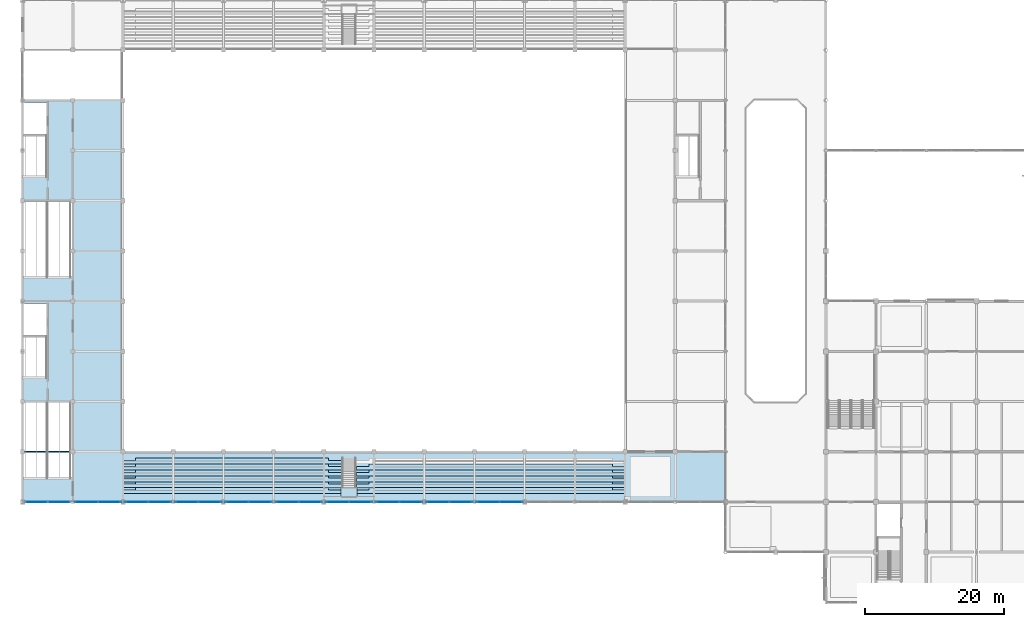
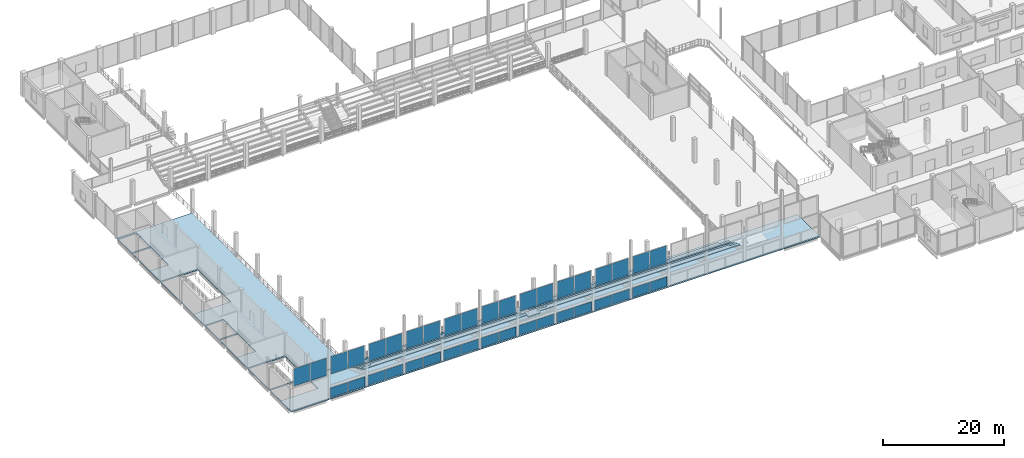
# One storey, part 81 of 120: 38 plates, 14 slabs, 19 elements without a shape of their own.
"""IFC4 building model written with IfcOpenShell, lengths in metres."""

from ifc_helpers import new_model, si_unit, direction, frame, origin, origin_2d, place, context, subcontext, project, spatial, polyline, rectangle, outline, extrude, material, layer, layer_set, type_object, element, aggregate, save


model = new_model("IFC4")

# Units and contexts
model_context = context("Model", 3, precision=1e-05, world=origin(), true_north=direction((0.0, 1.0)))
body_context = subcontext(model_context, "Body", "Model", "MODEL_VIEW")
ifc_project = project(units=[si_unit("LENGTHUNIT", "METRE"), si_unit("AREAUNIT", "SQUARE_METRE"), si_unit("VOLUMEUNIT", "CUBIC_METRE"), si_unit("PLANEANGLEUNIT", "RADIAN"), si_unit("MASSUNIT", "GRAM", prefix="KILO")], contexts=[model_context])

# Site, building, storey
site_placement = place(None, origin())
site = spatial("IfcSite", under=ifc_project, at=site_placement, CompositionType="ELEMENT")
building_placement = place(site_placement, origin())
building = spatial("IfcBuilding", under=site, at=building_placement, Name="Vesperath Aquatics Centre", CompositionType="ELEMENT")
storey_placement = place(building_placement, frame((0.0, 0.0, 10.199951171875)))
storey = spatial("IfcBuildingStorey", under=building, at=storey_placement, Name="L02", CompositionType="ELEMENT", Elevation=10.199951171875)

# Curtain wall, plates
ifc_material_1 = material(Name="Thermally broken anodised bronze aluminium curtain wall", Category="aluminium")
curtain_wall_type_1 = type_object("IfcCurtainWallType", Name="CW-06", PredefinedType="NOTDEFINED", material=ifc_material_1)
curtain_wall_1_placement = place(storey_placement, origin())
curtain_wall_1 = element("IfcCurtainWall", 1, at=curtain_wall_1_placement, inside=storey, type_object=curtain_wall_type_1, Name="Facade Curtain Wall CW06 L02_S_01_02", PredefinedType="NOTDEFINED")
ifc_material_2 = material(Name="Triple low-E argon insulated vision glass", Category="glass")
ifc_layer_1 = layer(ifc_material_2, 0.035888671875)
ifc_layer_set_1 = layer_set([ifc_layer_1], Name="Triple low-E argon insulated vision glass")
plate_type_1 = type_object("IfcPlateType", Name="PT-CWP05", PredefinedType="CURTAIN_PANEL", material=ifc_layer_set_1)
plate_1_placement = place(storey_placement, frame((9.119140625, 14.39990234375, 0.070068359375), z_axis=(0.0, 0.0, 1.0), x_axis=(1.0, 0.0, 0.0)))
plate_1 = element("IfcPlate", 2, at=plate_1_placement, type_object=plate_type_1, Name="CW06 panel 1.1", PredefinedType="CURTAIN_PANEL", context=body_context, shape_type="SweptSolid", body=[
    extrude(rectangle(XDim=3.29150390625, YDim=0.035888671875, at=origin_2d()), origin(), (0.0, 0.0, 1.0), 1.93994140625),
])
plate_2_placement = place(storey_placement, frame((12.480712890625, 14.39990234375, 0.070068359375), z_axis=(0.0, 0.0, 1.0), x_axis=(1.0, 0.0, 0.0)))
plate_2 = element("IfcPlate", 3, at=plate_2_placement, type_object=plate_type_1, Name="CW06 panel 2.1", PredefinedType="CURTAIN_PANEL", context=body_context, shape_type="SweptSolid", body=[
    extrude(rectangle(XDim=3.29150390625, YDim=0.035888671875, at=origin_2d()), origin(), (0.0, 0.0, 1.0), 1.93994140625),
])
aggregate(curtain_wall_1, [plate_1, plate_2])

curtain_wall_2_placement = place(storey_placement, origin())
curtain_wall_2 = element("IfcCurtainWall", 4, at=curtain_wall_2_placement, inside=storey, type_object=curtain_wall_type_1, Name="Facade Curtain Wall CW06 L02_S_02_02", PredefinedType="NOTDEFINED")
plate_3_placement = place(storey_placement, frame((16.3193359375, 14.39990234375, 0.070068359375), z_axis=(0.0, 0.0, 1.0), x_axis=(1.0, 0.0, 0.0)))
plate_3 = element("IfcPlate", 5, at=plate_3_placement, type_object=plate_type_1, Name="CW06 panel 1.1", PredefinedType="CURTAIN_PANEL", context=body_context, shape_type="SweptSolid", body=[
    extrude(rectangle(XDim=3.29150390625, YDim=0.035888671875, at=origin_2d()), origin(), (0.0, 0.0, 1.0), 1.93994140625),
])
plate_4_placement = place(storey_placement, frame((19.6806640625, 14.39990234375, 0.070068359375), z_axis=(0.0, 0.0, 1.0), x_axis=(1.0, 0.0, 0.0)))
plate_4 = element("IfcPlate", 6, at=plate_4_placement, type_object=plate_type_1, Name="CW06 panel 2.1", PredefinedType="CURTAIN_PANEL", context=body_context, shape_type="SweptSolid", body=[
    extrude(rectangle(XDim=3.29150390625, YDim=0.035888671875, at=origin_2d()), origin(), (0.0, 0.0, 1.0), 1.93994140625),
])
aggregate(curtain_wall_2, [plate_3, plate_4])

curtain_wall_3_placement = place(storey_placement, origin())
curtain_wall_3 = element("IfcCurtainWall", 7, at=curtain_wall_3_placement, inside=storey, type_object=curtain_wall_type_1, Name="Facade Curtain Wall CW06 L02_S_03_02", PredefinedType="NOTDEFINED")
plate_5_placement = place(storey_placement, frame((23.519287109375, 14.39990234375, 0.070068359375), z_axis=(0.0, 0.0, 1.0), x_axis=(1.0, 0.0, 0.0)))
plate_5 = element("IfcPlate", 8, at=plate_5_placement, type_object=plate_type_1, Name="CW06 panel 1.1", PredefinedType="CURTAIN_PANEL", context=body_context, shape_type="SweptSolid", body=[
    extrude(rectangle(XDim=3.29150390625, YDim=0.035888671875, at=origin_2d()), origin(), (0.0, 0.0, 1.0), 1.93994140625),
])
plate_6_placement = place(storey_placement, frame((26.880859375, 14.39990234375, 0.070068359375), z_axis=(0.0, 0.0, 1.0), x_axis=(1.0, 0.0, 0.0)))
plate_6 = element("IfcPlate", 9, at=plate_6_placement, type_object=plate_type_1, Name="CW06 panel 2.1", PredefinedType="CURTAIN_PANEL", context=body_context, shape_type="SweptSolid", body=[
    extrude(rectangle(XDim=3.29150390625, YDim=0.035888671875, at=origin_2d()), origin(), (0.0, 0.0, 1.0), 1.93994140625),
])
aggregate(curtain_wall_3, [plate_5, plate_6])

curtain_wall_4_placement = place(storey_placement, origin())
curtain_wall_4 = element("IfcCurtainWall", 10, at=curtain_wall_4_placement, inside=storey, type_object=curtain_wall_type_1, Name="Facade Curtain Wall CW06 L02_S_04_02", PredefinedType="NOTDEFINED")
plate_7_placement = place(storey_placement, frame((30.71923828125, 14.39990234375, 0.070068359375), z_axis=(0.0, 0.0, 1.0), x_axis=(1.0, 0.0, 0.0)))
plate_7 = element("IfcPlate", 11, at=plate_7_placement, type_object=plate_type_1, Name="CW06 panel 1.1", PredefinedType="CURTAIN_PANEL", context=body_context, shape_type="SweptSolid", body=[
    extrude(rectangle(XDim=3.29150390625, YDim=0.035888671875, at=origin_2d()), origin(), (0.0, 0.0, 1.0), 1.93994140625),
])
plate_8_placement = place(storey_placement, frame((34.080810546875, 14.39990234375, 0.070068359375), z_axis=(0.0, 0.0, 1.0), x_axis=(1.0, 0.0, 0.0)))
plate_8 = element("IfcPlate", 12, at=plate_8_placement, type_object=plate_type_1, Name="CW06 panel 2.1", PredefinedType="CURTAIN_PANEL", context=body_context, shape_type="SweptSolid", body=[
    extrude(rectangle(XDim=3.29150390625, YDim=0.035888671875, at=origin_2d()), origin(), (0.0, 0.0, 1.0), 1.93994140625),
])
aggregate(curtain_wall_4, [plate_7, plate_8])

curtain_wall_5_placement = place(storey_placement, origin())
curtain_wall_5 = element("IfcCurtainWall", 13, at=curtain_wall_5_placement, inside=storey, type_object=curtain_wall_type_1, Name="Facade Curtain Wall CW06 L02_S_05_02", PredefinedType="NOTDEFINED")
plate_9_placement = place(storey_placement, frame((37.919189453125, 14.39990234375, 0.070068359375), z_axis=(0.0, 0.0, 1.0), x_axis=(1.0, 0.0, 0.0)))
plate_9 = element("IfcPlate", 14, at=plate_9_placement, type_object=plate_type_1, Name="CW06 panel 1.1", PredefinedType="CURTAIN_PANEL", context=body_context, shape_type="SweptSolid", body=[
    extrude(rectangle(XDim=3.29150390625, YDim=0.035888671875, at=origin_2d()), origin(), (0.0, 0.0, 1.0), 1.93994140625),
])
plate_10_placement = place(storey_placement, frame((41.28076171875, 14.39990234375, 0.070068359375), z_axis=(0.0, 0.0, 1.0), x_axis=(1.0, 0.0, 0.0)))
plate_10 = element("IfcPlate", 15, at=plate_10_placement, type_object=plate_type_1, Name="CW06 panel 2.1", PredefinedType="CURTAIN_PANEL", context=body_context, shape_type="SweptSolid", body=[
    extrude(rectangle(XDim=3.29150390625, YDim=0.035888671875, at=origin_2d()), origin(), (0.0, 0.0, 1.0), 1.93994140625),
])
aggregate(curtain_wall_5, [plate_9, plate_10])

curtain_wall_6_placement = place(storey_placement, origin())
curtain_wall_6 = element("IfcCurtainWall", 16, at=curtain_wall_6_placement, inside=storey, type_object=curtain_wall_type_1, Name="Facade Curtain Wall CW06 L02_S_06_02", PredefinedType="NOTDEFINED")
plate_11_placement = place(storey_placement, frame((45.119140625, 14.39990234375, 0.070068359375), z_axis=(0.0, 0.0, 1.0), x_axis=(1.0, 0.0, 0.0)))
plate_11 = element("IfcPlate", 17, at=plate_11_placement, type_object=plate_type_1, Name="CW06 panel 1.1", PredefinedType="CURTAIN_PANEL", context=body_context, shape_type="SweptSolid", body=[
    extrude(rectangle(XDim=3.29150390625, YDim=0.035888671875, at=origin_2d()), origin(), (0.0, 0.0, 1.0), 1.93994140625),
])
plate_12_placement = place(storey_placement, frame((48.480712890625, 14.39990234375, 0.070068359375), z_axis=(0.0, 0.0, 1.0), x_axis=(1.0, 0.0, 0.0)))
plate_12 = element("IfcPlate", 18, at=plate_12_placement, type_object=plate_type_1, Name="CW06 panel 2.1", PredefinedType="CURTAIN_PANEL", context=body_context, shape_type="SweptSolid", body=[
    extrude(rectangle(XDim=3.29150390625, YDim=0.035888671875, at=origin_2d()), origin(), (0.0, 0.0, 1.0), 1.93994140625),
])
aggregate(curtain_wall_6, [plate_11, plate_12])

curtain_wall_7_placement = place(storey_placement, origin())
curtain_wall_7 = element("IfcCurtainWall", 19, at=curtain_wall_7_placement, inside=storey, type_object=curtain_wall_type_1, Name="Facade Curtain Wall CW06 L02_S_07_02", PredefinedType="NOTDEFINED")
plate_13_placement = place(storey_placement, frame((52.3193359375, 14.39990234375, 0.070068359375), z_axis=(0.0, 0.0, 1.0), x_axis=(1.0, 0.0, 0.0)))
plate_13 = element("IfcPlate", 20, at=plate_13_placement, type_object=plate_type_1, Name="CW06 panel 1.1", PredefinedType="CURTAIN_PANEL", context=body_context, shape_type="SweptSolid", body=[
    extrude(rectangle(XDim=3.29150390625, YDim=0.035888671875, at=origin_2d()), origin(), (0.0, 0.0, 1.0), 1.93994140625),
])
plate_14_placement = place(storey_placement, frame((55.6806640625, 14.39990234375, 0.070068359375), z_axis=(0.0, 0.0, 1.0), x_axis=(1.0, 0.0, 0.0)))
plate_14 = element("IfcPlate", 21, at=plate_14_placement, type_object=plate_type_1, Name="CW06 panel 2.1", PredefinedType="CURTAIN_PANEL", context=body_context, shape_type="SweptSolid", body=[
    extrude(rectangle(XDim=3.29150390625, YDim=0.035888671875, at=origin_2d()), origin(), (0.0, 0.0, 1.0), 1.93994140625),
])
aggregate(curtain_wall_7, [plate_13, plate_14])

curtain_wall_8_placement = place(storey_placement, origin())
curtain_wall_8 = element("IfcCurtainWall", 22, at=curtain_wall_8_placement, inside=storey, type_object=curtain_wall_type_1, Name="Facade Curtain Wall CW06 L02_S_08_02", PredefinedType="NOTDEFINED")
plate_15_placement = place(storey_placement, frame((59.519287109375, 14.39990234375, 0.070068359375), z_axis=(0.0, 0.0, 1.0), x_axis=(1.0, 0.0, 0.0)))
plate_15 = element("IfcPlate", 23, at=plate_15_placement, type_object=plate_type_1, Name="CW06 panel 1.1", PredefinedType="CURTAIN_PANEL", context=body_context, shape_type="SweptSolid", body=[
    extrude(rectangle(XDim=3.29150390625, YDim=0.035888671875, at=origin_2d()), origin(), (0.0, 0.0, 1.0), 1.93994140625),
])
plate_16_placement = place(storey_placement, frame((62.880859375, 14.39990234375, 0.070068359375), z_axis=(0.0, 0.0, 1.0), x_axis=(1.0, 0.0, 0.0)))
plate_16 = element("IfcPlate", 24, at=plate_16_placement, type_object=plate_type_1, Name="CW06 panel 2.1", PredefinedType="CURTAIN_PANEL", context=body_context, shape_type="SweptSolid", body=[
    extrude(rectangle(XDim=3.29150390625, YDim=0.035888671875, at=origin_2d()), origin(), (0.0, 0.0, 1.0), 1.93994140625),
])
aggregate(curtain_wall_8, [plate_15, plate_16])

curtain_wall_9_placement = place(storey_placement, origin())
curtain_wall_9 = element("IfcCurtainWall", 25, at=curtain_wall_9_placement, inside=storey, type_object=curtain_wall_type_1, Name="Facade Curtain Wall CW06 L02_S_09_02", PredefinedType="NOTDEFINED")
plate_17_placement = place(storey_placement, frame((66.71923828125, 14.39990234375, 0.070068359375), z_axis=(0.0, 0.0, 1.0), x_axis=(1.0, 0.0, 0.0)))
plate_17 = element("IfcPlate", 26, at=plate_17_placement, type_object=plate_type_1, Name="CW06 panel 1.1", PredefinedType="CURTAIN_PANEL", context=body_context, shape_type="SweptSolid", body=[
    extrude(rectangle(XDim=3.29150390625, YDim=0.035888671875, at=origin_2d()), origin(), (0.0, 0.0, 1.0), 1.93994140625),
])
plate_18_placement = place(storey_placement, frame((70.080810546875, 14.39990234375, 0.070068359375), z_axis=(0.0, 0.0, 1.0), x_axis=(1.0, 0.0, 0.0)))
plate_18 = element("IfcPlate", 27, at=plate_18_placement, type_object=plate_type_1, Name="CW06 panel 2.1", PredefinedType="CURTAIN_PANEL", context=body_context, shape_type="SweptSolid", body=[
    extrude(rectangle(XDim=3.29150390625, YDim=0.035888671875, at=origin_2d()), origin(), (0.0, 0.0, 1.0), 1.93994140625),
])
aggregate(curtain_wall_9, [plate_17, plate_18])

curtain_wall_type_2 = type_object("IfcCurtainWallType", Name="CW-08", PredefinedType="NOTDEFINED", material=ifc_material_1)
curtain_wall_10_placement = place(storey_placement, origin())
curtain_wall_10 = element("IfcCurtainWall", 28, at=curtain_wall_10_placement, inside=storey, type_object=curtain_wall_type_2, Name="Natatorium Gable West Curtain Wall CW08 S-1W", PredefinedType="NOTDEFINED")
ifc_layer_2 = layer(ifc_material_2, 0.035888671875)
ifc_layer_set_2 = layer_set([ifc_layer_2], Name="Triple low-E argon insulated vision glass")
plate_type_2 = type_object("IfcPlateType", Name="PT-CWP07", PredefinedType="CURTAIN_PANEL", material=ifc_layer_set_2)
plate_19_placement = place(storey_placement, frame((1.99365234375, 14.39990234375, 4.824951171875), z_axis=(0.0, 0.0, 1.0), x_axis=(1.0, 0.0, 0.0)))
plate_19 = element("IfcPlate", 29, at=plate_19_placement, type_object=plate_type_2, Name="CW08 panel 1.1", PredefinedType="CURTAIN_PANEL", context=body_context, shape_type="SweptSolid", body=[
    extrude(rectangle(XDim=3.137451171875, YDim=0.035888671875, at=origin_2d()), origin(), (0.0, 0.0, 1.0), 3.5),
])
plate_20_placement = place(storey_placement, frame((5.206298828125, 14.39990234375, 4.824951171875), z_axis=(0.0, 0.0, 1.0), x_axis=(1.0, 0.0, 0.0)))
plate_20 = element("IfcPlate", 30, at=plate_20_placement, type_object=plate_type_2, Name="CW08 panel 2.1", PredefinedType="CURTAIN_PANEL", context=body_context, shape_type="SweptSolid", body=[
    extrude(rectangle(XDim=3.137451171875, YDim=0.035888671875, at=origin_2d()), origin(), (0.0, 0.0, 1.0), 3.5),
])
aggregate(curtain_wall_10, [plate_19, plate_20])

curtain_wall_11_placement = place(storey_placement, origin())
curtain_wall_11 = element("IfcCurtainWall", 31, at=curtain_wall_11_placement, inside=storey, type_object=curtain_wall_type_2, Name="Natatorium Gable East Curtain Wall CW08 S-1E", PredefinedType="NOTDEFINED")
plate_21_placement = place(storey_placement, frame((9.19384765625, 14.39990234375, 4.824951171875), z_axis=(0.0, 0.0, 1.0), x_axis=(1.0, 0.0, 0.0)))
plate_21 = element("IfcPlate", 32, at=plate_21_placement, type_object=plate_type_2, Name="CW08 panel 1.1", PredefinedType="CURTAIN_PANEL", context=body_context, shape_type="SweptSolid", body=[
    extrude(rectangle(XDim=3.137451171875, YDim=0.035888671875, at=origin_2d()), origin(), (0.0, 0.0, 1.0), 3.5),
])
plate_22_placement = place(storey_placement, frame((12.40625, 14.39990234375, 4.824951171875), z_axis=(0.0, 0.0, 1.0), x_axis=(1.0, 0.0, 0.0)))
plate_22 = element("IfcPlate", 33, at=plate_22_placement, type_object=plate_type_2, Name="CW08 panel 2.1", PredefinedType="CURTAIN_PANEL", context=body_context, shape_type="SweptSolid", body=[
    extrude(rectangle(XDim=3.137451171875, YDim=0.035888671875, at=origin_2d()), origin(), (0.0, 0.0, 1.0), 3.5),
])
aggregate(curtain_wall_11, [plate_21, plate_22])

curtain_wall_12_placement = place(storey_placement, origin())
curtain_wall_12 = element("IfcCurtainWall", 34, at=curtain_wall_12_placement, inside=storey, type_object=curtain_wall_type_2, Name="Natatorium Gable West Curtain Wall CW08 S-2W", PredefinedType="NOTDEFINED")
plate_23_placement = place(storey_placement, frame((16.393798828125, 14.39990234375, 4.824951171875), z_axis=(0.0, 0.0, 1.0), x_axis=(1.0, 0.0, 0.0)))
plate_23 = element("IfcPlate", 35, at=plate_23_placement, type_object=plate_type_2, Name="CW08 panel 1.1", PredefinedType="CURTAIN_PANEL", context=body_context, shape_type="SweptSolid", body=[
    extrude(rectangle(XDim=3.137451171875, YDim=0.035888671875, at=origin_2d()), origin(), (0.0, 0.0, 1.0), 3.5),
])
plate_24_placement = place(storey_placement, frame((19.606201171875, 14.39990234375, 4.824951171875), z_axis=(0.0, 0.0, 1.0), x_axis=(1.0, 0.0, 0.0)))
plate_24 = element("IfcPlate", 36, at=plate_24_placement, type_object=plate_type_2, Name="CW08 panel 2.1", PredefinedType="CURTAIN_PANEL", context=body_context, shape_type="SweptSolid", body=[
    extrude(rectangle(XDim=3.137451171875, YDim=0.035888671875, at=origin_2d()), origin(), (0.0, 0.0, 1.0), 3.5),
])
aggregate(curtain_wall_12, [plate_23, plate_24])

curtain_wall_13_placement = place(storey_placement, origin())
curtain_wall_13 = element("IfcCurtainWall", 37, at=curtain_wall_13_placement, inside=storey, type_object=curtain_wall_type_2, Name="Natatorium Gable East Curtain Wall CW08 S-2E", PredefinedType="NOTDEFINED")
plate_25_placement = place(storey_placement, frame((23.59375, 14.39990234375, 4.824951171875), z_axis=(0.0, 0.0, 1.0), x_axis=(1.0, 0.0, 0.0)))
plate_25 = element("IfcPlate", 38, at=plate_25_placement, type_object=plate_type_2, Name="CW08 panel 1.1", PredefinedType="CURTAIN_PANEL", context=body_context, shape_type="SweptSolid", body=[
    extrude(rectangle(XDim=3.137451171875, YDim=0.035888671875, at=origin_2d()), origin(), (0.0, 0.0, 1.0), 3.5),
])
plate_26_placement = place(storey_placement, frame((26.80615234375, 14.39990234375, 4.824951171875), z_axis=(0.0, 0.0, 1.0), x_axis=(1.0, 0.0, 0.0)))
plate_26 = element("IfcPlate", 39, at=plate_26_placement, type_object=plate_type_2, Name="CW08 panel 2.1", PredefinedType="CURTAIN_PANEL", context=body_context, shape_type="SweptSolid", body=[
    extrude(rectangle(XDim=3.137451171875, YDim=0.035888671875, at=origin_2d()), origin(), (0.0, 0.0, 1.0), 3.5),
])
aggregate(curtain_wall_13, [plate_25, plate_26])

curtain_wall_14_placement = place(storey_placement, origin())
curtain_wall_14 = element("IfcCurtainWall", 40, at=curtain_wall_14_placement, inside=storey, type_object=curtain_wall_type_2, Name="Natatorium Gable West Curtain Wall CW08 S-3W", PredefinedType="NOTDEFINED")
plate_27_placement = place(storey_placement, frame((30.793701171875, 14.39990234375, 4.824951171875), z_axis=(0.0, 0.0, 1.0), x_axis=(1.0, 0.0, 0.0)))
plate_27 = element("IfcPlate", 41, at=plate_27_placement, type_object=plate_type_2, Name="CW08 panel 1.1", PredefinedType="CURTAIN_PANEL", context=body_context, shape_type="SweptSolid", body=[
    extrude(rectangle(XDim=3.137451171875, YDim=0.035888671875, at=origin_2d()), origin(), (0.0, 0.0, 1.0), 3.5),
])
plate_28_placement = place(storey_placement, frame((34.00634765625, 14.39990234375, 4.824951171875), z_axis=(0.0, 0.0, 1.0), x_axis=(1.0, 0.0, 0.0)))
plate_28 = element("IfcPlate", 42, at=plate_28_placement, type_object=plate_type_2, Name="CW08 panel 2.1", PredefinedType="CURTAIN_PANEL", context=body_context, shape_type="SweptSolid", body=[
    extrude(rectangle(XDim=3.137451171875, YDim=0.035888671875, at=origin_2d()), origin(), (0.0, 0.0, 1.0), 3.5),
])
aggregate(curtain_wall_14, [plate_27, plate_28])

curtain_wall_15_placement = place(storey_placement, origin())
curtain_wall_15 = element("IfcCurtainWall", 43, at=curtain_wall_15_placement, inside=storey, type_object=curtain_wall_type_2, Name="Natatorium Gable East Curtain Wall CW08 S-3E", PredefinedType="NOTDEFINED")
plate_29_placement = place(storey_placement, frame((37.99365234375, 14.39990234375, 4.824951171875), z_axis=(0.0, 0.0, 1.0), x_axis=(1.0, 0.0, 0.0)))
plate_29 = element("IfcPlate", 44, at=plate_29_placement, type_object=plate_type_2, Name="CW08 panel 1.1", PredefinedType="CURTAIN_PANEL", context=body_context, shape_type="SweptSolid", body=[
    extrude(rectangle(XDim=3.137451171875, YDim=0.035888671875, at=origin_2d()), origin(), (0.0, 0.0, 1.0), 3.5),
])
plate_30_placement = place(storey_placement, frame((41.206298828125, 14.39990234375, 4.824951171875), z_axis=(0.0, 0.0, 1.0), x_axis=(1.0, 0.0, 0.0)))
plate_30 = element("IfcPlate", 45, at=plate_30_placement, type_object=plate_type_2, Name="CW08 panel 2.1", PredefinedType="CURTAIN_PANEL", context=body_context, shape_type="SweptSolid", body=[
    extrude(rectangle(XDim=3.137451171875, YDim=0.035888671875, at=origin_2d()), origin(), (0.0, 0.0, 1.0), 3.5),
])
aggregate(curtain_wall_15, [plate_29, plate_30])

curtain_wall_16_placement = place(storey_placement, origin())
curtain_wall_16 = element("IfcCurtainWall", 46, at=curtain_wall_16_placement, inside=storey, type_object=curtain_wall_type_2, Name="Natatorium Gable West Curtain Wall CW08 S-4W", PredefinedType="NOTDEFINED")
plate_31_placement = place(storey_placement, frame((45.19384765625, 14.39990234375, 4.824951171875), z_axis=(0.0, 0.0, 1.0), x_axis=(1.0, 0.0, 0.0)))
plate_31 = element("IfcPlate", 47, at=plate_31_placement, type_object=plate_type_2, Name="CW08 panel 1.1", PredefinedType="CURTAIN_PANEL", context=body_context, shape_type="SweptSolid", body=[
    extrude(rectangle(XDim=3.137451171875, YDim=0.035888671875, at=origin_2d()), origin(), (0.0, 0.0, 1.0), 3.5),
])
plate_32_placement = place(storey_placement, frame((48.40625, 14.39990234375, 4.824951171875), z_axis=(0.0, 0.0, 1.0), x_axis=(1.0, 0.0, 0.0)))
plate_32 = element("IfcPlate", 48, at=plate_32_placement, type_object=plate_type_2, Name="CW08 panel 2.1", PredefinedType="CURTAIN_PANEL", context=body_context, shape_type="SweptSolid", body=[
    extrude(rectangle(XDim=3.137451171875, YDim=0.035888671875, at=origin_2d()), origin(), (0.0, 0.0, 1.0), 3.5),
])
aggregate(curtain_wall_16, [plate_31, plate_32])

curtain_wall_17_placement = place(storey_placement, origin())
curtain_wall_17 = element("IfcCurtainWall", 49, at=curtain_wall_17_placement, inside=storey, type_object=curtain_wall_type_2, Name="Natatorium Gable East Curtain Wall CW08 S-4E", PredefinedType="NOTDEFINED")
plate_33_placement = place(storey_placement, frame((52.393798828125, 14.39990234375, 4.824951171875), z_axis=(0.0, 0.0, 1.0), x_axis=(1.0, 0.0, 0.0)))
plate_33 = element("IfcPlate", 50, at=plate_33_placement, type_object=plate_type_2, Name="CW08 panel 1.1", PredefinedType="CURTAIN_PANEL", context=body_context, shape_type="SweptSolid", body=[
    extrude(rectangle(XDim=3.137451171875, YDim=0.035888671875, at=origin_2d()), origin(), (0.0, 0.0, 1.0), 3.5),
])
plate_34_placement = place(storey_placement, frame((55.606201171875, 14.39990234375, 4.824951171875), z_axis=(0.0, 0.0, 1.0), x_axis=(1.0, 0.0, 0.0)))
plate_34 = element("IfcPlate", 51, at=plate_34_placement, type_object=plate_type_2, Name="CW08 panel 2.1", PredefinedType="CURTAIN_PANEL", context=body_context, shape_type="SweptSolid", body=[
    extrude(rectangle(XDim=3.137451171875, YDim=0.035888671875, at=origin_2d()), origin(), (0.0, 0.0, 1.0), 3.5),
])
aggregate(curtain_wall_17, [plate_33, plate_34])

curtain_wall_18_placement = place(storey_placement, origin())
curtain_wall_18 = element("IfcCurtainWall", 52, at=curtain_wall_18_placement, inside=storey, type_object=curtain_wall_type_2, Name="Natatorium Gable West Curtain Wall CW08 S-5W", PredefinedType="NOTDEFINED")
plate_35_placement = place(storey_placement, frame((59.59375, 14.39990234375, 4.824951171875), z_axis=(0.0, 0.0, 1.0), x_axis=(1.0, 0.0, 0.0)))
plate_35 = element("IfcPlate", 53, at=plate_35_placement, type_object=plate_type_2, Name="CW08 panel 1.1", PredefinedType="CURTAIN_PANEL", context=body_context, shape_type="SweptSolid", body=[
    extrude(rectangle(XDim=3.137451171875, YDim=0.035888671875, at=origin_2d()), origin(), (0.0, 0.0, 1.0), 3.5),
])
plate_36_placement = place(storey_placement, frame((62.80615234375, 14.39990234375, 4.824951171875), z_axis=(0.0, 0.0, 1.0), x_axis=(1.0, 0.0, 0.0)))
plate_36 = element("IfcPlate", 54, at=plate_36_placement, type_object=plate_type_2, Name="CW08 panel 2.1", PredefinedType="CURTAIN_PANEL", context=body_context, shape_type="SweptSolid", body=[
    extrude(rectangle(XDim=3.137451171875, YDim=0.035888671875, at=origin_2d()), origin(), (0.0, 0.0, 1.0), 3.5),
])
aggregate(curtain_wall_18, [plate_35, plate_36])

curtain_wall_19_placement = place(storey_placement, origin())
curtain_wall_19 = element("IfcCurtainWall", 55, at=curtain_wall_19_placement, inside=storey, type_object=curtain_wall_type_2, Name="Natatorium Gable East Curtain Wall CW08 S-5E", PredefinedType="NOTDEFINED")
plate_37_placement = place(storey_placement, frame((66.793701171875, 14.39990234375, 4.824951171875), z_axis=(0.0, 0.0, 1.0), x_axis=(1.0, 0.0, 0.0)))
plate_37 = element("IfcPlate", 56, at=plate_37_placement, type_object=plate_type_2, Name="CW08 panel 1.1", PredefinedType="CURTAIN_PANEL", context=body_context, shape_type="SweptSolid", body=[
    extrude(rectangle(XDim=3.137451171875, YDim=0.035888671875, at=origin_2d()), origin(), (0.0, 0.0, 1.0), 3.5),
])
plate_38_placement = place(storey_placement, frame((70.00634765625, 14.39990234375, 4.824951171875), z_axis=(0.0, 0.0, 1.0), x_axis=(1.0, 0.0, 0.0)))
plate_38 = element("IfcPlate", 57, at=plate_38_placement, type_object=plate_type_2, Name="CW08 panel 2.1", PredefinedType="CURTAIN_PANEL", context=body_context, shape_type="SweptSolid", body=[
    extrude(rectangle(XDim=3.137451171875, YDim=0.035888671875, at=origin_2d()), origin(), (0.0, 0.0, 1.0), 3.5),
])
aggregate(curtain_wall_19, [plate_37, plate_38])

# Slabs
ifc_material_3 = material(Name="Concrete C35", Category="concrete")
ifc_layer_3 = layer(ifc_material_3, 0.260009765625)
ifc_layer_set_3 = layer_set([ifc_layer_3], Name="Concrete C35")
slab_type_1 = type_object("IfcSlabType", Name="SL-FL02", PredefinedType="FLOOR", material=ifc_layer_set_3)
slab_1_placement = place(storey_placement, frame((0.0, 0.0, -0.260009765625)))
element("IfcSlab", 58, at=slab_1_placement, inside=storey, type_object=slab_type_1, Name="Upper South Concourse Slab SL02 L02", PredefinedType="FLOOR", context=body_context, shape_type="SweptSolid", body=[
    extrude(outline(polyline([(0.0, 14.39990234375), (100.800048828125, 14.39990234375), (100.800048828125, 21.60009765625), (0.0, 21.60009765625), (0.0, 14.39990234375)]), holes=[polyline([(0.080078125, 17.85009765625), (7.1201171875, 17.85009765625), (7.1201171875, 21.52001953125), (0.080078125, 21.52001953125), (0.080078125, 17.85009765625)])]), origin(), (0.0, 0.0, 1.0), 0.260009765625),
])
slab_2_placement = place(storey_placement, frame((0.0, 0.0, -0.260009765625)))
element("IfcSlab", 59, at=slab_2_placement, inside=storey, type_object=slab_type_1, Name="Upper West Bowl Promenade Slab SL02 L02", PredefinedType="FLOOR", context=body_context, shape_type="SweptSolid", body=[
    extrude(outline(polyline([(0.0, 21.60009765625), (14.39990234375, 21.60009765625), (14.39990234375, 72.0), (0.0, 72.0), (0.0, 21.60009765625)]), holes=[polyline([(0.080078125, 32.25), (3.5400390625, 32.25), (3.5400390625, 38.159912109375), (0.080078125, 38.159912109375), (0.080078125, 32.25)]), polyline([(0.080078125, 38.340087890625), (3.5400390625, 38.340087890625), (3.5400390625, 42.8798828125), (0.080078125, 42.8798828125), (0.080078125, 38.340087890625)]), polyline([(0.080078125, 61.050048828125), (3.5400390625, 61.050048828125), (3.5400390625, 66.9599609375), (0.080078125, 66.9599609375), (0.080078125, 61.050048828125)]), polyline([(0.080078125, 67.139892578125), (3.5400390625, 67.139892578125), (3.5400390625, 71.679931640625), (0.080078125, 71.679931640625), (0.080078125, 67.139892578125)]), polyline([(0.080078125, 21.679931640625), (7.1201171875, 21.679931640625), (7.1201171875, 28.719970703125), (0.080078125, 28.719970703125), (0.080078125, 21.679931640625)]), polyline([(0.080078125, 46.64990234375), (7.1201171875, 46.64990234375), (7.1201171875, 57.52001953125), (0.080078125, 57.52001953125), (0.080078125, 46.64990234375)])]), origin(), (0.0, 0.0, 1.0), 0.260009765625),
])
ifc_layer_4 = layer(ifc_material_3, 0.219970703125)
ifc_layer_set_4 = layer_set([ifc_layer_4], Name="Concrete C35")
slab_type_2 = type_object("IfcSlabType", Name="SL-FL04", PredefinedType="FLOOR", material=ifc_layer_set_4)
slab_3_placement = place(storey_placement, frame((0.0, 0.0, 2.429931640625)))
element("IfcSlab", 60, at=slab_3_placement, inside=storey, type_object=slab_type_2, Name="Upper Vomitory Top Landing Slab VOM07", PredefinedType="FLOOR", context=body_context, shape_type="SweptSolid", body=[
    extrude(outline(polyline([(45.64990234375, 15.080078125), (47.949951171875, 15.080078125), (47.949951171875, 16.5029296875), (45.64990234375, 16.5029296875), (45.64990234375, 15.080078125)])), origin(), (0.0, 0.0, 1.0), 0.22021484375),
])
ifc_material_4 = material(Name="Precast concrete C35", Category="concrete")
ifc_layer_5 = layer(ifc_material_4, 0.179931640625)
ifc_layer_set_5 = layer_set([ifc_layer_5], Name="Precast concrete C35")
slab_type_3 = type_object("IfcSlabType", Name="SL-ST01", PredefinedType="USERDEFINED", material=ifc_layer_set_5)
slab_4_placement = place(storey_placement, frame((0.0, 0.0, 0.469970703125)))
element("IfcSlab", 61, at=slab_4_placement, inside=storey, type_object=slab_type_3, Name="Stand Upper South U1 Row 1", ObjectType="SEATING TIER", PredefinedType="USERDEFINED", context=body_context, shape_type="SweptSolid", body=[
    extrude(outline(polyline([(14.39990234375, 19.85009765625), (45.699951171875, 19.85009765625), (45.699951171875, 20.360107421875), (43.89990234375, 20.360107421875), (43.89990234375, 20.699951171875), (16.199951171875, 20.699951171875), (16.199951171875, 20.360107421875), (14.39990234375, 20.360107421875), (14.39990234375, 19.85009765625)])), origin(), (0.0, 0.0, 1.0), 0.18017578125),
])
slab_5_placement = place(storey_placement, frame((0.0, 0.0, 0.8701171875)))
element("IfcSlab", 62, at=slab_5_placement, inside=storey, type_object=slab_type_3, Name="Stand Upper South U1 Row 2", ObjectType="SEATING TIER", PredefinedType="USERDEFINED", context=body_context, shape_type="SweptSolid", body=[
    extrude(outline(polyline([(14.39990234375, 19.0), (45.699951171875, 19.0), (45.699951171875, 19.510009765625), (43.89990234375, 19.510009765625), (43.89990234375, 19.85009765625), (16.199951171875, 19.85009765625), (16.199951171875, 19.510009765625), (14.39990234375, 19.510009765625), (14.39990234375, 19.0)])), origin(), (0.0, 0.0, 1.0), 0.179931640625),
])
slab_6_placement = place(storey_placement, frame((0.0, 0.0, 0.8701171875)))
element("IfcSlab", 63, at=slab_6_placement, inside=storey, type_object=slab_type_3, Name="Stand Upper South U2 Row 2", ObjectType="SEATING TIER", PredefinedType="USERDEFINED", context=body_context, shape_type="SweptSolid", body=[
    extrude(outline(polyline([(47.89990234375, 19.0), (86.39990234375, 19.0), (86.39990234375, 19.510009765625), (84.60009765625, 19.510009765625), (84.60009765625, 19.85009765625), (49.699951171875, 19.85009765625), (49.699951171875, 19.510009765625), (47.89990234375, 19.510009765625), (47.89990234375, 19.0)])), origin(), (0.0, 0.0, 1.0), 0.179931640625),
])
slab_7_placement = place(storey_placement, frame((0.0, 0.0, 1.27001953125)))
element("IfcSlab", 64, at=slab_7_placement, inside=storey, type_object=slab_type_3, Name="Stand Upper South U1 Row 3", ObjectType="SEATING TIER", PredefinedType="USERDEFINED", context=body_context, shape_type="SweptSolid", body=[
    extrude(outline(polyline([(14.39990234375, 18.14990234375), (45.699951171875, 18.14990234375), (45.699951171875, 18.659912109375), (43.89990234375, 18.659912109375), (43.89990234375, 19.0), (16.199951171875, 19.0), (16.199951171875, 18.659912109375), (14.39990234375, 18.659912109375), (14.39990234375, 18.14990234375)])), origin(), (0.0, 0.0, 1.0), 0.179931640625),
])
slab_8_placement = place(storey_placement, frame((0.0, 0.0, 1.27001953125)))
element("IfcSlab", 65, at=slab_8_placement, inside=storey, type_object=slab_type_3, Name="Stand Upper South U2 Row 3", ObjectType="SEATING TIER", PredefinedType="USERDEFINED", context=body_context, shape_type="SweptSolid", body=[
    extrude(outline(polyline([(47.89990234375, 18.14990234375), (86.39990234375, 18.14990234375), (86.39990234375, 18.659912109375), (84.60009765625, 18.659912109375), (84.60009765625, 19.0), (49.699951171875, 19.0), (49.699951171875, 18.659912109375), (47.89990234375, 18.659912109375), (47.89990234375, 18.14990234375)])), origin(), (0.0, 0.0, 1.0), 0.179931640625),
])
slab_9_placement = place(storey_placement, frame((0.0, 0.0, 1.670166015625)))
element("IfcSlab", 66, at=slab_9_placement, inside=storey, type_object=slab_type_3, Name="Stand Upper South U1 Row 4", ObjectType="SEATING TIER", PredefinedType="USERDEFINED", context=body_context, shape_type="SweptSolid", body=[
    extrude(outline(polyline([(14.39990234375, 17.300048828125), (45.699951171875, 17.300048828125), (45.699951171875, 17.81005859375), (43.89990234375, 17.81005859375), (43.89990234375, 18.14990234375), (16.199951171875, 18.14990234375), (16.199951171875, 17.81005859375), (14.39990234375, 17.81005859375), (14.39990234375, 17.300048828125)])), origin(), (0.0, 0.0, 1.0), 0.179931640625),
])
slab_10_placement = place(storey_placement, frame((0.0, 0.0, 1.670166015625)))
element("IfcSlab", 67, at=slab_10_placement, inside=storey, type_object=slab_type_3, Name="Stand Upper South U2 Row 4", ObjectType="SEATING TIER", PredefinedType="USERDEFINED", context=body_context, shape_type="SweptSolid", body=[
    extrude(outline(polyline([(47.89990234375, 17.300048828125), (86.39990234375, 17.300048828125), (86.39990234375, 17.81005859375), (84.60009765625, 17.81005859375), (84.60009765625, 18.14990234375), (49.699951171875, 18.14990234375), (49.699951171875, 17.81005859375), (47.89990234375, 17.81005859375), (47.89990234375, 17.300048828125)])), origin(), (0.0, 0.0, 1.0), 0.179931640625),
])
slab_11_placement = place(storey_placement, frame((0.0, 0.0, 2.070068359375)))
element("IfcSlab", 68, at=slab_11_placement, inside=storey, type_object=slab_type_3, Name="Stand Upper South U1 Row 5", ObjectType="SEATING TIER", PredefinedType="USERDEFINED", context=body_context, shape_type="SweptSolid", body=[
    extrude(outline(polyline([(14.39990234375, 16.449951171875), (45.699951171875, 16.449951171875), (45.699951171875, 16.9599609375), (43.89990234375, 16.9599609375), (43.89990234375, 17.300048828125), (16.199951171875, 17.300048828125), (16.199951171875, 16.9599609375), (14.39990234375, 16.9599609375), (14.39990234375, 16.449951171875)])), origin(), (0.0, 0.0, 1.0), 0.179931640625),
])
slab_12_placement = place(storey_placement, frame((0.0, 0.0, 2.070068359375)))
element("IfcSlab", 69, at=slab_12_placement, inside=storey, type_object=slab_type_3, Name="Stand Upper South U2 Row 5", ObjectType="SEATING TIER", PredefinedType="USERDEFINED", context=body_context, shape_type="SweptSolid", body=[
    extrude(outline(polyline([(47.89990234375, 16.449951171875), (86.39990234375, 16.449951171875), (86.39990234375, 16.9599609375), (84.60009765625, 16.9599609375), (84.60009765625, 17.300048828125), (49.699951171875, 17.300048828125), (49.699951171875, 16.9599609375), (47.89990234375, 16.9599609375), (47.89990234375, 16.449951171875)])), origin(), (0.0, 0.0, 1.0), 0.179931640625),
])
slab_13_placement = place(storey_placement, frame((0.0, 0.0, 2.469970703125)))
element("IfcSlab", 70, at=slab_13_placement, inside=storey, type_object=slab_type_3, Name="Stand Upper South U1 Row 6", ObjectType="SEATING TIER", PredefinedType="USERDEFINED", context=body_context, shape_type="SweptSolid", body=[
    extrude(outline(polyline([(14.39990234375, 15.60009765625), (45.699951171875, 15.60009765625), (45.699951171875, 16.110107421875), (43.89990234375, 16.110107421875), (43.89990234375, 16.449951171875), (16.199951171875, 16.449951171875), (16.199951171875, 16.110107421875), (14.39990234375, 16.110107421875), (14.39990234375, 15.60009765625)])), origin(), (0.0, 0.0, 1.0), 0.18017578125),
])
slab_14_placement = place(storey_placement, frame((0.0, 0.0, 2.469970703125)))
element("IfcSlab", 71, at=slab_14_placement, inside=storey, type_object=slab_type_3, Name="Stand Upper South U2 Row 6", ObjectType="SEATING TIER", PredefinedType="USERDEFINED", context=body_context, shape_type="SweptSolid", body=[
    extrude(outline(polyline([(47.89990234375, 15.60009765625), (86.39990234375, 15.60009765625), (86.39990234375, 16.110107421875), (84.60009765625, 16.110107421875), (84.60009765625, 16.449951171875), (49.699951171875, 16.449951171875), (49.699951171875, 16.110107421875), (47.89990234375, 16.110107421875), (47.89990234375, 15.60009765625)])), origin(), (0.0, 0.0, 1.0), 0.18017578125),
])

save(model, "model.ifc")
